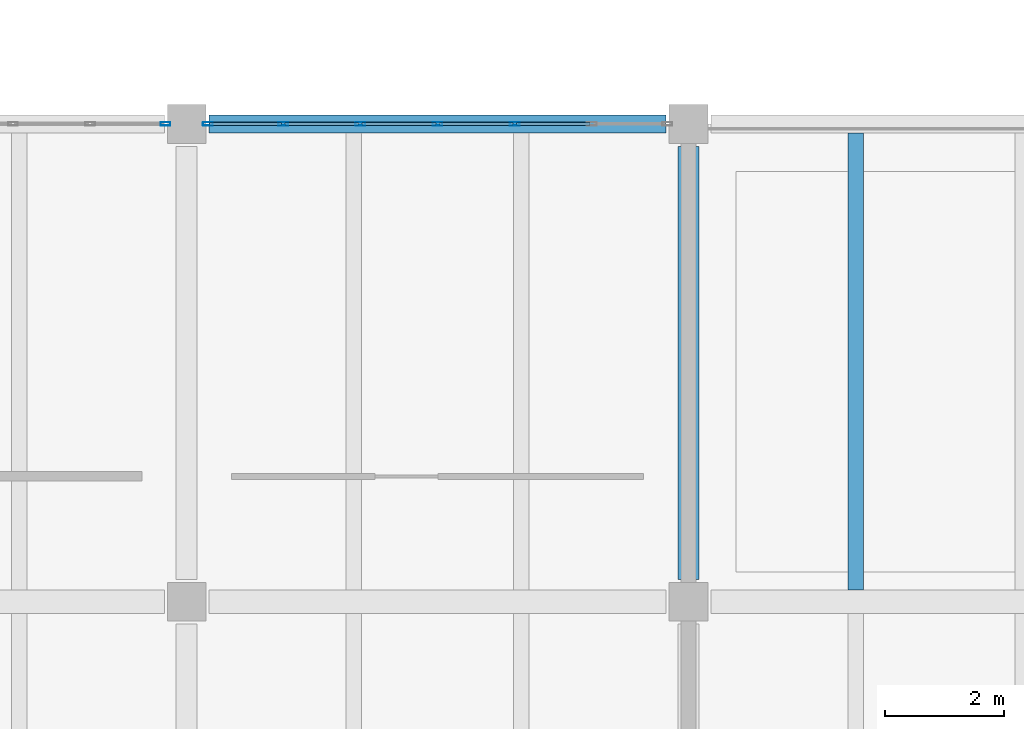
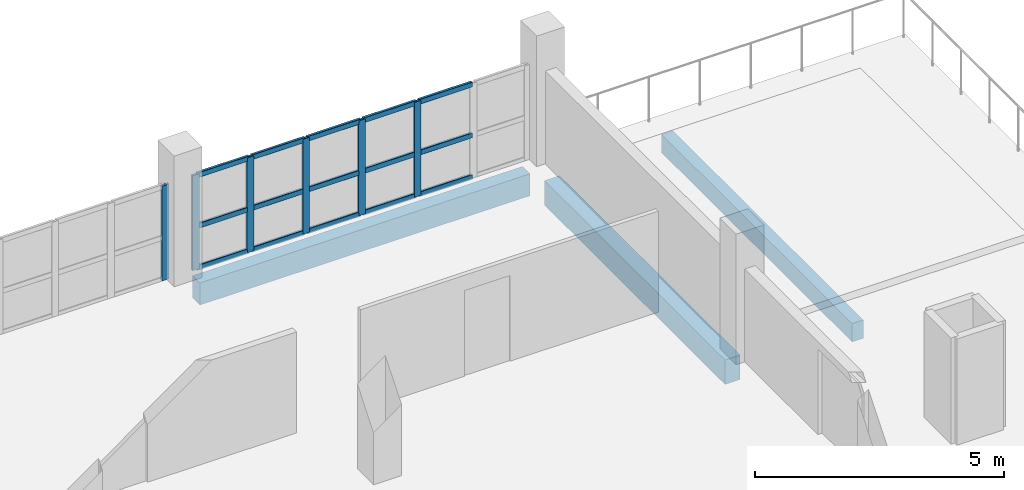
# One storey, part 17 of 33: 21 members, 3 beams, 2 elements without a shape of their own.
"""IFC4 building model written with IfcOpenShell, lengths in metres."""

from ifc_helpers import new_model, si_unit, direction, frame, origin, origin_2d, place, context, subcontext, project, spatial, rectangle, hollow_rectangle, extrude, material, layer, layer_set, material_profile, profile_set, type_object, element, aggregate, save


model = new_model("IFC4")

# Units and contexts
model_context = context("Model", 3, precision=1e-05, world=origin(), true_north=direction((0.0, 1.0)))
body_context = subcontext(model_context, "Body", "Model", "MODEL_VIEW")
ifc_project = project(units=[si_unit("LENGTHUNIT", "METRE"), si_unit("AREAUNIT", "SQUARE_METRE"), si_unit("VOLUMEUNIT", "CUBIC_METRE"), si_unit("PLANEANGLEUNIT", "RADIAN"), si_unit("MASSUNIT", "GRAM", prefix="KILO"), si_unit("THERMODYNAMICTEMPERATUREUNIT", "KELVIN"), si_unit("POWERUNIT", "WATT")], contexts=[model_context])

# Site, building, storey
site_placement = place(None, origin())
site = spatial("IfcSite", under=ifc_project, at=site_placement, CompositionType="ELEMENT")
building_placement = place(site_placement, origin())
building = spatial("IfcBuilding", under=site, at=building_placement, Name="Mavoryth Pier Ferry Terminal", CompositionType="ELEMENT")
storey_placement = place(building_placement, frame((0.0, 0.0, 13.1201171875)))
storey = spatial("IfcBuildingStorey", under=building, at=storey_placement, Name="L03", CompositionType="ELEMENT", Elevation=13.1201171875)

# Beams
ifc_material_1 = material(Name="Concrete C35/45", Category="concrete")
ifc_material_profile_1 = material_profile(ifc_material_1, rectangle(XDim=0.35009765625, YDim=0.60009765625, at=origin_2d()), Name="RC 350x600", Category="concrete")
ifc_profile_set_1 = profile_set([ifc_material_profile_1], Name="Concrete C35/45 - RC 350x600")
beam_type_1 = type_object("IfcBeamType", Name="Girder-RC-350x600", PredefinedType="BEAM", material=ifc_profile_set_1)
beam_1_placement = place(storey_placement, frame((84.0, 14.375, -0.66015625), z_axis=(0.0, 1.0, 0.0), x_axis=(-1.0, 0.0, 0.0)))
element("IfcBeam", 1, at=beam_1_placement, inside=storey, type_object=beam_type_1, Name="Beam B03-BG08-1274", PredefinedType="BEAM", context=body_context, shape_type="SweptSolid", body=[
    extrude(rectangle(XDim=0.35009765625, YDim=0.60009765625, at=origin_2d()), origin(), (0.0, 0.0, 1.0), 7.25),
])
ifc_material_profile_2 = material_profile(ifc_material_1, rectangle(XDim=0.260009765625, YDim=0.449951171875, at=origin_2d()), Name="RC 260x450", Category="concrete")
ifc_profile_set_2 = profile_set([ifc_material_profile_2], Name="Concrete C35/45 - RC 260x450")
beam_type_2 = type_object("IfcBeamType", Name="Joist-RC-260x450", PredefinedType="JOIST", material=ifc_profile_set_2)
beam_2_placement = place(storey_placement, frame((86.800048828125, 14.199951171875, -0.585205078125), z_axis=(0.0, 1.0, 0.0), x_axis=(-1.0, 0.0, 0.0)))
element("IfcBeam", 2, at=beam_2_placement, inside=storey, type_object=beam_type_2, Name="Beam B03-BJ03-1308", PredefinedType="JOIST", context=body_context, shape_type="SweptSolid", body=[
    extrude(rectangle(XDim=0.260009765625, YDim=0.449951171875, at=origin_2d()), origin(), (0.0, 0.0, 1.0), 7.650146484375),
])

# Curtain wall, member
ifc_material_2 = material(Name="Anodised Aluminium and Solar-Control Low-E Glass", Category="aluminium")
ifc_layer = layer(ifc_material_2, 0.239990234375, Name="Anodised Aluminium and Solar-Control Low-E Glass", Category="aluminium")
ifc_layer_set = layer_set([ifc_layer], Name="Anodised Aluminium and Solar-Control Low-E Glass - CW-Operations-Mod1200")
curtain_wall_type = type_object("IfcCurtainWallType", Name="CW-Operations-Mod1200", PredefinedType="USERDEFINED", material=ifc_layer_set)
curtain_wall_1_placement = place(storey_placement, origin())
curtain_wall_1 = element("IfcCurtainWall", 3, at=curtain_wall_1_placement, inside=storey, type_object=curtain_wall_type, Name="Curtain Wall CW-0322-143", ObjectType="UNITISED CURTAIN WALL", PredefinedType="USERDEFINED")
ifc_material_3 = material(Name="Anodised Aluminium EN AW-6063", Category="aluminium")
ifc_material_profile_3 = material_profile(ifc_material_3, hollow_rectangle(XDim=0.06005859375, YDim=0.1650390625, WallThickness=0.00390625, InnerFilletRadius=0.00390625, OuterFilletRadius=0.008056640625, at=origin_2d()), Name="AL-MULL 165x60x4", Category="aluminium")
ifc_profile_set_3 = profile_set([ifc_material_profile_3], Name="Anodised Aluminium EN AW-6063 - AL-MULL 165x60x4")
member_type_1 = type_object("IfcMemberType", Name="Mullion-Alum-165x60", PredefinedType="MULLION", material=ifc_profile_set_3)
member_1_placement = place(storey_placement, frame((75.2451171875, 22.0, 0.0), z_axis=(0.0, 0.0, 1.0), x_axis=(0.0, -1.0, 0.0)))
member_1 = element("IfcMember", 4, at=member_1_placement, type_object=member_type_1, Name="CW06 mullion 1", PredefinedType="MULLION", context=body_context, shape_type="SweptSolid", body=[
    extrude(hollow_rectangle(XDim=0.06005859375, YDim=0.1650390625, WallThickness=0.00390625, InnerFilletRadius=0.00390625, OuterFilletRadius=0.008056640625, at=origin_2d()), origin(), (0.0, 0.0, 1.0), 2.324951171875),
])
aggregate(curtain_wall_1, [member_1])

# Curtain wall, members
curtain_wall_2_placement = place(storey_placement, origin())
curtain_wall_2 = element("IfcCurtainWall", 5, at=curtain_wall_2_placement, inside=storey, type_object=curtain_wall_type, Name="Curtain Wall CW-0322-145", ObjectType="UNITISED CURTAIN WALL", PredefinedType="USERDEFINED")
member_2_placement = place(storey_placement, frame((81.091552734375, 22.0, 0.0), z_axis=(0.0, 0.0, 1.0), x_axis=(0.0, -1.0, 0.0)))
member_2 = element("IfcMember", 6, at=member_2_placement, type_object=member_type_1, Name="CW06 mullion 3", PredefinedType="MULLION", context=body_context, shape_type="SweptSolid", body=[
    extrude(hollow_rectangle(XDim=0.06005859375, YDim=0.1650390625, WallThickness=0.00390625, InnerFilletRadius=0.00390625, OuterFilletRadius=0.008056640625, at=origin_2d()), origin(), (0.0, 0.0, 1.0), 2.324951171875),
])
member_3_placement = place(storey_placement, frame((79.800048828125, 22.0, 0.0), z_axis=(0.0, 0.0, 1.0), x_axis=(0.0, -1.0, 0.0)))
member_3 = element("IfcMember", 7, at=member_3_placement, type_object=member_type_1, Name="CW06 mullion 4", PredefinedType="MULLION", context=body_context, shape_type="SweptSolid", body=[
    extrude(hollow_rectangle(XDim=0.06005859375, YDim=0.1650390625, WallThickness=0.00390625, InnerFilletRadius=0.00390625, OuterFilletRadius=0.008056640625, at=origin_2d()), origin(), (0.0, 0.0, 1.0), 2.324951171875),
])
member_4_placement = place(storey_placement, frame((78.50830078125, 22.0, 0.0), z_axis=(0.0, 0.0, 1.0), x_axis=(0.0, -1.0, 0.0)))
member_4 = element("IfcMember", 8, at=member_4_placement, type_object=member_type_1, Name="CW06 mullion 5", PredefinedType="MULLION", context=body_context, shape_type="SweptSolid", body=[
    extrude(hollow_rectangle(XDim=0.06005859375, YDim=0.1650390625, WallThickness=0.00390625, InnerFilletRadius=0.00390625, OuterFilletRadius=0.008056640625, at=origin_2d()), origin(), (0.0, 0.0, 1.0), 2.324951171875),
])
member_5_placement = place(storey_placement, frame((77.216552734375, 22.0, 0.0), z_axis=(0.0, 0.0, 1.0), x_axis=(0.0, -1.0, 0.0)))
member_5 = element("IfcMember", 9, at=member_5_placement, type_object=member_type_1, Name="CW06 mullion 6", PredefinedType="MULLION", context=body_context, shape_type="SweptSolid", body=[
    extrude(hollow_rectangle(XDim=0.06005859375, YDim=0.1650390625, WallThickness=0.00390625, InnerFilletRadius=0.00390625, OuterFilletRadius=0.008056640625, at=origin_2d()), origin(), (0.0, 0.0, 1.0), 2.324951171875),
])
member_6_placement = place(storey_placement, frame((75.955078125, 22.0, 0.0), z_axis=(0.0, 0.0, 1.0), x_axis=(0.0, -1.0, 0.0)))
member_6 = element("IfcMember", 10, at=member_6_placement, type_object=member_type_1, Name="CW06 mullion 7", PredefinedType="MULLION", context=body_context, shape_type="SweptSolid", body=[
    extrude(hollow_rectangle(XDim=0.06005859375, YDim=0.1650390625, WallThickness=0.00390625, InnerFilletRadius=0.00390625, OuterFilletRadius=0.008056640625, at=origin_2d()), origin(), (0.0, 0.0, 1.0), 2.324951171875),
])

# Beam
ifc_material_profile_4 = material_profile(ifc_material_1, rectangle(XDim=0.300048828125, YDim=0.5400390625, at=origin_2d()), Name="RC 300x540", Category="concrete")
ifc_profile_set_4 = profile_set([ifc_material_profile_4], Name="Concrete C35/45 - RC 300x540")
beam_type_3 = type_object("IfcBeamType", Name="Spandrel-RC-300x540", PredefinedType="SPANDREL", material=ifc_profile_set_4)
beam_3_placement = place(storey_placement, frame((75.97509765625, 22.0, -0.530029296875), z_axis=(1.0, 0.0, 0.0), x_axis=(0.0, 1.0, 0.0)))
element("IfcBeam", 11, at=beam_3_placement, inside=storey, type_object=beam_type_3, Name="Beam B03-SP02-1255", PredefinedType="SPANDREL", context=body_context, shape_type="SweptSolid", body=[
    extrude(rectangle(XDim=0.300048828125, YDim=0.5400390625, at=origin_2d()), origin(), (0.0, 0.0, 1.0), 7.64990234375),
])

# Member
ifc_material_profile_5 = material_profile(ifc_material_3, hollow_rectangle(XDim=0.06005859375, YDim=0.125, WallThickness=0.00390625, InnerFilletRadius=0.00390625, OuterFilletRadius=0.008056640625, at=origin_2d()), Name="AL-TRAN 125x60x4", Category="aluminium")
ifc_profile_set_5 = profile_set([ifc_material_profile_5], Name="Anodised Aluminium EN AW-6063 - AL-TRAN 125x60x4")
member_type_2 = type_object("IfcMemberType", Name="Transom-Alum-125x60", PredefinedType="USERDEFINED", material=ifc_profile_set_5)
member_7_placement = place(storey_placement, frame((82.353271484375, 22.0, 0.02978515625), z_axis=(-1.0, 0.0, 0.0), x_axis=(0.0, -1.0, 0.0)))
member_7 = element("IfcMember", 12, at=member_7_placement, type_object=member_type_2, Name="CW06 transom 2.1", ObjectType="TRANSOM", PredefinedType="USERDEFINED", context=body_context, shape_type="SweptSolid", body=[
    extrude(hollow_rectangle(XDim=0.06005859375, YDim=0.125, WallThickness=0.00390625, InnerFilletRadius=0.00390625, OuterFilletRadius=0.008056640625, at=origin_2d()), origin(), (0.0, 0.0, 1.0), 1.231689453125),
])

member_8_placement = place(storey_placement, frame((82.353271484375, 22.0, 1.0498046875), z_axis=(-1.0, 0.0, 0.0), x_axis=(0.0, -1.0, 0.0)))
member_8 = element("IfcMember", 13, at=member_8_placement, type_object=member_type_2, Name="CW06 transom 2.2", ObjectType="TRANSOM", PredefinedType="USERDEFINED", context=body_context, shape_type="SweptSolid", body=[
    extrude(hollow_rectangle(XDim=0.06005859375, YDim=0.125, WallThickness=0.00390625, InnerFilletRadius=0.00390625, OuterFilletRadius=0.008056640625, at=origin_2d()), origin(), (0.0, 0.0, 1.0), 1.231689453125),
])

member_9_placement = place(storey_placement, frame((82.353271484375, 22.0, 2.294921875), z_axis=(-1.0, 0.0, 0.0), x_axis=(0.0, -1.0, 0.0)))
member_9 = element("IfcMember", 14, at=member_9_placement, type_object=member_type_2, Name="CW06 transom 2.3", ObjectType="TRANSOM", PredefinedType="USERDEFINED", context=body_context, shape_type="SweptSolid", body=[
    extrude(hollow_rectangle(XDim=0.06005859375, YDim=0.125, WallThickness=0.00390625, InnerFilletRadius=0.00390625, OuterFilletRadius=0.008056640625, at=origin_2d()), origin(), (0.0, 0.0, 1.0), 1.231689453125),
])

member_10_placement = place(storey_placement, frame((81.061767578125, 22.0, 0.02978515625), z_axis=(-1.0, 0.0, 0.0), x_axis=(0.0, -1.0, 0.0)))
member_10 = element("IfcMember", 15, at=member_10_placement, type_object=member_type_2, Name="CW06 transom 3.1", ObjectType="TRANSOM", PredefinedType="USERDEFINED", context=body_context, shape_type="SweptSolid", body=[
    extrude(hollow_rectangle(XDim=0.06005859375, YDim=0.125, WallThickness=0.00390625, InnerFilletRadius=0.00390625, OuterFilletRadius=0.008056640625, at=origin_2d()), origin(), (0.0, 0.0, 1.0), 1.231689453125),
])

member_11_placement = place(storey_placement, frame((81.061767578125, 22.0, 1.0498046875), z_axis=(-1.0, 0.0, 0.0), x_axis=(0.0, -1.0, 0.0)))
member_11 = element("IfcMember", 16, at=member_11_placement, type_object=member_type_2, Name="CW06 transom 3.2", ObjectType="TRANSOM", PredefinedType="USERDEFINED", context=body_context, shape_type="SweptSolid", body=[
    extrude(hollow_rectangle(XDim=0.06005859375, YDim=0.125, WallThickness=0.00390625, InnerFilletRadius=0.00390625, OuterFilletRadius=0.008056640625, at=origin_2d()), origin(), (0.0, 0.0, 1.0), 1.231689453125),
])

member_12_placement = place(storey_placement, frame((81.061767578125, 22.0, 2.294921875), z_axis=(-1.0, 0.0, 0.0), x_axis=(0.0, -1.0, 0.0)))
member_12 = element("IfcMember", 17, at=member_12_placement, type_object=member_type_2, Name="CW06 transom 3.3", ObjectType="TRANSOM", PredefinedType="USERDEFINED", context=body_context, shape_type="SweptSolid", body=[
    extrude(hollow_rectangle(XDim=0.06005859375, YDim=0.125, WallThickness=0.00390625, InnerFilletRadius=0.00390625, OuterFilletRadius=0.008056640625, at=origin_2d()), origin(), (0.0, 0.0, 1.0), 1.231689453125),
])

member_13_placement = place(storey_placement, frame((79.77001953125, 22.0, 0.02978515625), z_axis=(-1.0, 0.0, 0.0), x_axis=(0.0, -1.0, 0.0)))
member_13 = element("IfcMember", 18, at=member_13_placement, type_object=member_type_2, Name="CW06 transom 4.1", ObjectType="TRANSOM", PredefinedType="USERDEFINED", context=body_context, shape_type="SweptSolid", body=[
    extrude(hollow_rectangle(XDim=0.06005859375, YDim=0.125, WallThickness=0.00390625, InnerFilletRadius=0.00390625, OuterFilletRadius=0.008056640625, at=origin_2d()), origin(), (0.0, 0.0, 1.0), 1.231689453125),
])

member_14_placement = place(storey_placement, frame((79.77001953125, 22.0, 1.0498046875), z_axis=(-1.0, 0.0, 0.0), x_axis=(0.0, -1.0, 0.0)))
member_14 = element("IfcMember", 19, at=member_14_placement, type_object=member_type_2, Name="CW06 transom 4.2", ObjectType="TRANSOM", PredefinedType="USERDEFINED", context=body_context, shape_type="SweptSolid", body=[
    extrude(hollow_rectangle(XDim=0.06005859375, YDim=0.125, WallThickness=0.00390625, InnerFilletRadius=0.00390625, OuterFilletRadius=0.008056640625, at=origin_2d()), origin(), (0.0, 0.0, 1.0), 1.231689453125),
])

member_15_placement = place(storey_placement, frame((79.77001953125, 22.0, 2.294921875), z_axis=(-1.0, 0.0, 0.0), x_axis=(0.0, -1.0, 0.0)))
member_15 = element("IfcMember", 20, at=member_15_placement, type_object=member_type_2, Name="CW06 transom 4.3", ObjectType="TRANSOM", PredefinedType="USERDEFINED", context=body_context, shape_type="SweptSolid", body=[
    extrude(hollow_rectangle(XDim=0.06005859375, YDim=0.125, WallThickness=0.00390625, InnerFilletRadius=0.00390625, OuterFilletRadius=0.008056640625, at=origin_2d()), origin(), (0.0, 0.0, 1.0), 1.231689453125),
])

member_16_placement = place(storey_placement, frame((78.478271484375, 22.0, 0.02978515625), z_axis=(-1.0, 0.0, 0.0), x_axis=(0.0, -1.0, 0.0)))
member_16 = element("IfcMember", 21, at=member_16_placement, type_object=member_type_2, Name="CW06 transom 5.1", ObjectType="TRANSOM", PredefinedType="USERDEFINED", context=body_context, shape_type="SweptSolid", body=[
    extrude(hollow_rectangle(XDim=0.06005859375, YDim=0.125, WallThickness=0.00390625, InnerFilletRadius=0.00390625, OuterFilletRadius=0.008056640625, at=origin_2d()), origin(), (0.0, 0.0, 1.0), 1.231689453125),
])

member_17_placement = place(storey_placement, frame((78.478271484375, 22.0, 1.0498046875), z_axis=(-1.0, 0.0, 0.0), x_axis=(0.0, -1.0, 0.0)))
member_17 = element("IfcMember", 22, at=member_17_placement, type_object=member_type_2, Name="CW06 transom 5.2", ObjectType="TRANSOM", PredefinedType="USERDEFINED", context=body_context, shape_type="SweptSolid", body=[
    extrude(hollow_rectangle(XDim=0.06005859375, YDim=0.125, WallThickness=0.00390625, InnerFilletRadius=0.00390625, OuterFilletRadius=0.008056640625, at=origin_2d()), origin(), (0.0, 0.0, 1.0), 1.231689453125),
])

member_18_placement = place(storey_placement, frame((78.478271484375, 22.0, 2.294921875), z_axis=(-1.0, 0.0, 0.0), x_axis=(0.0, -1.0, 0.0)))
member_18 = element("IfcMember", 23, at=member_18_placement, type_object=member_type_2, Name="CW06 transom 5.3", ObjectType="TRANSOM", PredefinedType="USERDEFINED", context=body_context, shape_type="SweptSolid", body=[
    extrude(hollow_rectangle(XDim=0.06005859375, YDim=0.125, WallThickness=0.00390625, InnerFilletRadius=0.00390625, OuterFilletRadius=0.008056640625, at=origin_2d()), origin(), (0.0, 0.0, 1.0), 1.231689453125),
])

member_19_placement = place(storey_placement, frame((77.186767578125, 22.0, 0.02978515625), z_axis=(-1.0, 0.0, 0.0), x_axis=(0.0, -1.0, 0.0)))
member_19 = element("IfcMember", 24, at=member_19_placement, type_object=member_type_2, Name="CW06 transom 6.1", ObjectType="TRANSOM", PredefinedType="USERDEFINED", context=body_context, shape_type="SweptSolid", body=[
    extrude(hollow_rectangle(XDim=0.06005859375, YDim=0.125, WallThickness=0.00390625, InnerFilletRadius=0.00390625, OuterFilletRadius=0.008056640625, at=origin_2d()), origin(), (0.0, 0.0, 1.0), 1.20166015625),
])

member_20_placement = place(storey_placement, frame((77.186767578125, 22.0, 1.0498046875), z_axis=(-1.0, 0.0, 0.0), x_axis=(0.0, -1.0, 0.0)))
member_20 = element("IfcMember", 25, at=member_20_placement, type_object=member_type_2, Name="CW06 transom 6.2", ObjectType="TRANSOM", PredefinedType="USERDEFINED", context=body_context, shape_type="SweptSolid", body=[
    extrude(hollow_rectangle(XDim=0.06005859375, YDim=0.125, WallThickness=0.00390625, InnerFilletRadius=0.00390625, OuterFilletRadius=0.008056640625, at=origin_2d()), origin(), (0.0, 0.0, 1.0), 1.20166015625),
])

member_21_placement = place(storey_placement, frame((77.186767578125, 22.0, 2.294921875), z_axis=(-1.0, 0.0, 0.0), x_axis=(0.0, -1.0, 0.0)))
member_21 = element("IfcMember", 26, at=member_21_placement, type_object=member_type_2, Name="CW06 transom 6.3", ObjectType="TRANSOM", PredefinedType="USERDEFINED", context=body_context, shape_type="SweptSolid", body=[
    extrude(hollow_rectangle(XDim=0.06005859375, YDim=0.125, WallThickness=0.00390625, InnerFilletRadius=0.00390625, OuterFilletRadius=0.008056640625, at=origin_2d()), origin(), (0.0, 0.0, 1.0), 1.20166015625),
])

aggregate(curtain_wall_2, [member_2, member_3, member_4, member_5, member_6, member_7, member_8, member_9, member_10, member_11, member_12, member_13, member_14, member_15, member_16, member_17, member_18, member_19, member_20, member_21])

save(model, "model.ifc")
